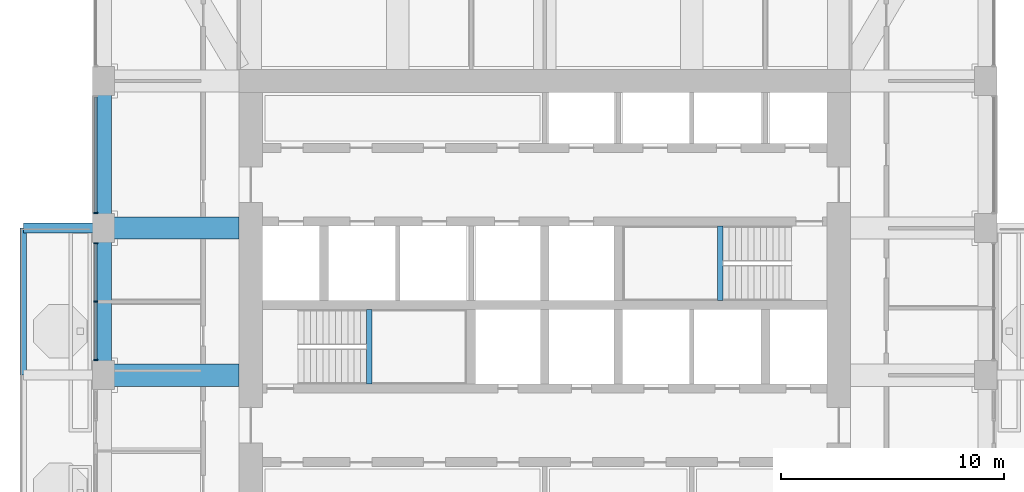
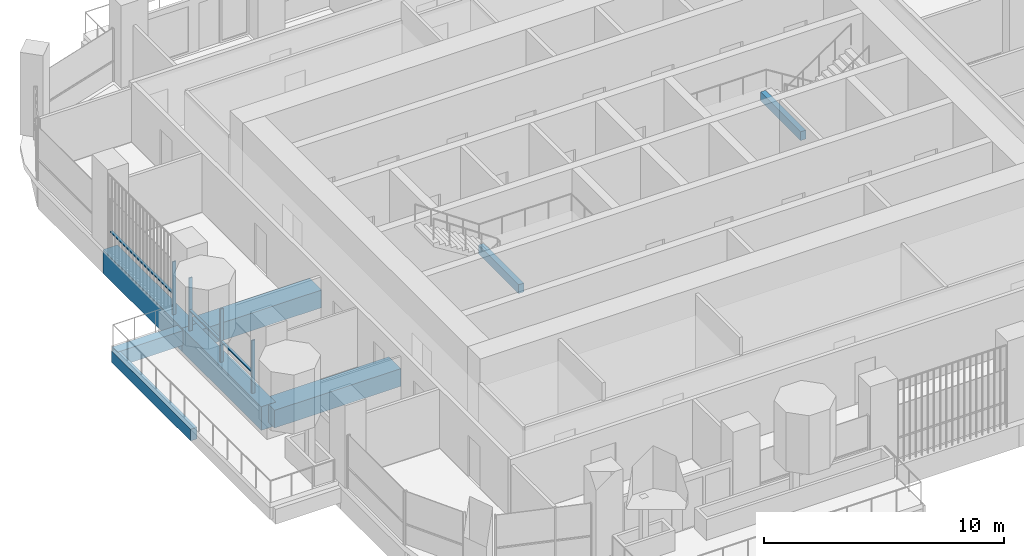
# One storey, part 4 of 20: 8 beams, 7 members, 2 elements without a shape of their own.
"""IFC4 building model written with IfcOpenShell, lengths in metres."""

from ifc_helpers import new_model, si_unit, direction, frame, origin, origin_2d, place, context, subcontext, project, spatial, rectangle, extrude, material, material_profile, profile_set, type_object, element, aggregate, save


model = new_model("IFC4")

# Units and contexts
model_context = context("Model", 3, precision=1e-05, world=origin(), true_north=direction((0.0, 1.0)))
body_context = subcontext(model_context, "Body", "Model", "MODEL_VIEW")
ifc_project = project(units=[si_unit("LENGTHUNIT", "METRE"), si_unit("AREAUNIT", "SQUARE_METRE"), si_unit("VOLUMEUNIT", "CUBIC_METRE"), si_unit("PLANEANGLEUNIT", "RADIAN"), si_unit("MASSUNIT", "GRAM", prefix="KILO")], contexts=[model_context])

# Site, building, storey
site_placement = place(None, origin())
site = spatial("IfcSite", under=ifc_project, at=site_placement, CompositionType="ELEMENT")
building_placement = place(site_placement, origin())
building = spatial("IfcBuilding", under=site, at=building_placement, Name="Cobogo Forest Laboratory Tower", CompositionType="ELEMENT")
storey_placement = place(building_placement, frame((0.0, 0.0, 246.0)))
storey = spatial("IfcBuildingStorey", under=building, at=storey_placement, Name="L56", CompositionType="ELEMENT", Elevation=246.0)

# Beams
ifc_material_1 = material(Name="Concrete HA-40 (C40/50)", Category="concrete")
ifc_material_profile_1 = material_profile(ifc_material_1, rectangle(XDim=0.449951171875, YDim=0.75, at=origin_2d()), Name="RC 450x750")
ifc_profile_set_1 = profile_set([ifc_material_profile_1], Name="Concrete HA-40 (C40/50)")
beam_type_1 = type_object("IfcBeamType", Name="Balcony cantilever beam 450x750", PredefinedType="BEAM", material=ifc_profile_set_1)
beam_1_placement = place(storey_placement, frame((6.14990234375, 26.39990234375, -0.625), z_axis=(-1.0, 0.0, 0.0), x_axis=(0.0, -1.0, 0.0)))
element("IfcBeam", 1, at=beam_1_placement, inside=storey, type_object=beam_type_1, Name="CB1 BAL-W1-C3 L56", PredefinedType="BEAM", context=body_context, shape_type="SweptSolid", body=[
    extrude(rectangle(XDim=0.449951171875, YDim=0.75, at=origin_2d()), origin(), (0.0, 0.0, 1.0), 3.14990234375),
])
ifc_material_profile_2 = material_profile(ifc_material_1, rectangle(XDim=0.300048828125, YDim=0.60009765625, at=origin_2d()), Name="RC 300x600")
ifc_profile_set_2 = profile_set([ifc_material_profile_2], Name="Concrete HA-40 (C40/50)")
beam_type_2 = type_object("IfcBeamType", Name="Balcony edge beam 300x600", PredefinedType="BEAM", material=ifc_profile_set_2)
beam_2_placement = place(storey_placement, frame((3.0, 19.800048828125, -0.550048828125), z_axis=(0.0, 1.0, 0.0), x_axis=(-1.0, 0.0, 0.0)))
element("IfcBeam", 2, at=beam_2_placement, inside=storey, type_object=beam_type_2, Name="BB1 BAL-W1-T2 L56", PredefinedType="BEAM", context=body_context, shape_type="SweptSolid", body=[
    extrude(rectangle(XDim=0.300048828125, YDim=0.60009765625, at=origin_2d()), origin(), (0.0, 0.0, 1.0), 6.599853515625),
])
ifc_material_profile_3 = material_profile(ifc_material_1, rectangle(XDim=0.25, YDim=0.449951171875, at=origin_2d()), Name="RC 250x450")
ifc_profile_set_3 = profile_set([ifc_material_profile_3], Name="Concrete HA-40 (C40/50)")
beam_type_3 = type_object("IfcBeamType", Name="LB1 landing beam 250x450", PredefinedType="BEAM", material=ifc_profile_set_3)
for number, where, z_axis, x_axis, name in (
    (3, (18.530029296875, 19.39990234375, 1.675048828125), (0.0, 1.0, 0.0), (-1.0, 0.0, 0.0), "Landing beam ST1 L56"),
    (4, (34.27001953125, 23.14990234375, 1.675048828125), (0.0, 1.0, 0.0), (-1.0, 0.0, 0.0), "Landing beam ST2 L56"),
):
    element("IfcBeam", number, at=place(storey_placement, frame(where, z_axis=z_axis, x_axis=x_axis)), inside=storey, type_object=beam_type_3, Name=name, PredefinedType="BEAM", context=body_context, shape_type="SweptSolid", body=[
        extrude(rectangle(XDim=0.25, YDim=0.449951171875, at=origin_2d()), origin(), (0.0, 0.0, 1.0), 3.35009765625),
    ])

# Curtain wall, member
ifc_material_2 = material(Name="Aluminium curtain wall", Category="aluminium")
curtain_wall_type = type_object("IfcCurtainWallType", Name="CW-2 unitised curtain wall, solar control glazing, laboratory floors zones C and D", PredefinedType="USERDEFINED", material=ifc_material_2)
curtain_wall_1_placement = place(storey_placement, origin())
curtain_wall_1 = element("IfcCurtainWall", 5, at=curtain_wall_1_placement, inside=storey, type_object=curtain_wall_type, Name="Curtain wall 21 L56", ObjectType="UNITISED CURTAIN WALL", PredefinedType="USERDEFINED")
ifc_material_3 = material(Name="Aluminium mullion", Category="aluminium")
ifc_material_profile_4 = material_profile(ifc_material_3, rectangle(XDim=0.06005859375, YDim=0.159912109375, at=origin_2d()), Name="AL 60x160")
ifc_profile_set_4 = profile_set([ifc_material_profile_4], Name="Aluminium mullion")
member_type_1 = type_object("IfcMemberType", Name="MU-1 aluminium mullion 60x160", PredefinedType="MULLION", material=ifc_profile_set_4)
member_1_placement = place(storey_placement, frame((6.25, 27.080078125, 0.0), z_axis=(0.0, 0.0, 1.0), x_axis=(0.0, -1.0, 0.0)))
member_1 = element("IfcMember", 6, at=member_1_placement, type_object=member_type_1, Name="CW-2 mullion 2", PredefinedType="MULLION", context=body_context, shape_type="SweptSolid", body=[
    extrude(rectangle(XDim=0.06005859375, YDim=0.159912109375, at=origin_2d()), origin(), (0.0, 0.0, 1.0), 2.699951171875),
])

# Curtain wall, members
curtain_wall_2_placement = place(storey_placement, origin())
curtain_wall_2 = element("IfcCurtainWall", 7, at=curtain_wall_2_placement, inside=storey, type_object=curtain_wall_type, Name="Curtain wall 22 L56", ObjectType="UNITISED CURTAIN WALL", PredefinedType="USERDEFINED")
member_2_placement = place(storey_placement, frame((6.25, 25.719970703125, 0.0), z_axis=(0.0, 0.0, 1.0), x_axis=(0.0, -1.0, 0.0)))
member_2 = element("IfcMember", 8, at=member_2_placement, type_object=member_type_1, Name="CW-2 mullion 1", PredefinedType="MULLION", context=body_context, shape_type="SweptSolid", body=[
    extrude(rectangle(XDim=0.06005859375, YDim=0.159912109375, at=origin_2d()), origin(), (0.0, 0.0, 1.0), 2.699951171875),
])
member_3_placement = place(storey_placement, frame((6.25, 23.10009765625, 0.0), z_axis=(0.0, 0.0, 1.0), x_axis=(0.0, -1.0, 0.0)))
member_3 = element("IfcMember", 9, at=member_3_placement, type_object=member_type_1, Name="CW-2 mullion 2", PredefinedType="MULLION", context=body_context, shape_type="SweptSolid", body=[
    extrude(rectangle(XDim=0.06005859375, YDim=0.159912109375, at=origin_2d()), origin(), (0.0, 0.0, 1.0), 2.699951171875),
])
member_4_placement = place(storey_placement, frame((6.25, 20.47998046875, 0.0), z_axis=(0.0, 0.0, 1.0), x_axis=(0.0, -1.0, 0.0)))
member_4 = element("IfcMember", 10, at=member_4_placement, type_object=member_type_1, Name="CW-2 mullion 3", PredefinedType="MULLION", context=body_context, shape_type="SweptSolid", body=[
    extrude(rectangle(XDim=0.06005859375, YDim=0.159912109375, at=origin_2d()), origin(), (0.0, 0.0, 1.0), 2.699951171875),
])

# Beams
ifc_material_profile_5 = material_profile(ifc_material_1, rectangle(XDim=1.0, YDim=0.89990234375, at=origin_2d()), Name="RC 1000x900")
ifc_profile_set_5 = profile_set([ifc_material_profile_5], Name="Concrete HA-40 (C40/50)")
beam_type_4 = type_object("IfcBeamType", Name="Office floor wide beam 1000x900", PredefinedType="BEAM", material=ifc_profile_set_5)
for number, where, z_axis, x_axis, name in (
    (11, (12.675048828125, 19.800048828125, -0.75), (-1.0, 0.0, 0.0), (0.0, -1.0, 0.0), "RB2 R-D-W L56"),
    (12, (12.675048828125, 26.39990234375, -0.75), (-1.0, 0.0, 0.0), (0.0, -1.0, 0.0), "RB2 R-E-W L56"),
):
    element("IfcBeam", number, at=place(storey_placement, frame(where, z_axis=z_axis, x_axis=x_axis)), inside=storey, type_object=beam_type_4, Name=name, PredefinedType="BEAM", context=body_context, shape_type="SweptSolid", body=[
        extrude(rectangle(XDim=1.0, YDim=0.89990234375, at=origin_2d()), origin(), (0.0, 0.0, 1.0), 6.074951171875),
    ])
ifc_material_profile_6 = material_profile(ifc_material_1, rectangle(XDim=0.699951171875, YDim=1.199951171875, at=origin_2d()), Name="RC 700x1200")
ifc_profile_set_6 = profile_set([ifc_material_profile_6], Name="Concrete HA-40 (C40/50)")
beam_type_5 = type_object("IfcBeamType", Name="Perimeter edge beam 700x1200", PredefinedType="BEAM", material=ifc_profile_set_6)
beam_3_placement = place(storey_placement, frame((6.60009765625, 19.800048828125, -0.89990234375), z_axis=(0.0, 1.0, 0.0), x_axis=(-1.0, 0.0, 0.0)))
element("IfcBeam", 13, at=beam_3_placement, inside=storey, type_object=beam_type_5, Name="EB1 E-W2 L56", PredefinedType="BEAM", context=body_context, shape_type="SweptSolid", body=[
    extrude(rectangle(XDim=0.699951171875, YDim=1.199951171875, at=origin_2d()), origin(), (0.0, 0.0, 1.0), 6.599853515625),
])
beam_4_placement = place(storey_placement, frame((6.60009765625, 26.39990234375, -0.89990234375), z_axis=(0.0, 1.0, 0.0), x_axis=(-1.0, 0.0, 0.0)))
element("IfcBeam", 14, at=beam_4_placement, inside=storey, type_object=beam_type_5, Name="EB1 E-W3 L56", PredefinedType="BEAM", context=body_context, shape_type="SweptSolid", body=[
    extrude(rectangle(XDim=0.699951171875, YDim=1.199951171875, at=origin_2d()), origin(), (0.0, 0.0, 1.0), 6.60009765625),
])

# Member
ifc_material_4 = material(Name="Aluminium transom", Category="aluminium")
ifc_material_profile_7 = material_profile(ifc_material_4, rectangle(XDim=0.1201171875, YDim=0.06005859375, at=origin_2d()), Name="AL 60x120")
ifc_profile_set_7 = profile_set([ifc_material_profile_7], Name="Aluminium transom")
member_type_2 = type_object("IfcMemberType", Name="TR-1 aluminium transom 60x120", PredefinedType="USERDEFINED", material=ifc_profile_set_7)
member_5_placement = place(storey_placement, frame((6.25, 32.2900390625, 1.050048828125), z_axis=(0.0, -1.0, 0.0), x_axis=(1.0, 0.0, 0.0)))
member_5 = element("IfcMember", 15, at=member_5_placement, type_object=member_type_2, Name="CW-2 transom 1.1", ObjectType="TRANSOM", PredefinedType="USERDEFINED", context=body_context, shape_type="SweptSolid", body=[
    extrude(rectangle(XDim=0.1201171875, YDim=0.06005859375, at=origin_2d()), origin(), (0.0, 0.0, 1.0), 5.179931640625),
])

aggregate(curtain_wall_1, [member_1, member_5])

member_6_placement = place(storey_placement, frame((6.25, 25.68994140625, 1.050048828125), z_axis=(0.0, -1.0, 0.0), x_axis=(1.0, 0.0, 0.0)))
member_6 = element("IfcMember", 16, at=member_6_placement, type_object=member_type_2, Name="CW-2 transom 1.1", ObjectType="TRANSOM", PredefinedType="USERDEFINED", context=body_context, shape_type="SweptSolid", body=[
    extrude(rectangle(XDim=0.1201171875, YDim=0.06005859375, at=origin_2d()), origin(), (0.0, 0.0, 1.0), 2.56005859375),
])

member_7_placement = place(storey_placement, frame((6.25, 23.070068359375, 1.050048828125), z_axis=(0.0, -1.0, 0.0), x_axis=(1.0, 0.0, 0.0)))
member_7 = element("IfcMember", 17, at=member_7_placement, type_object=member_type_2, Name="CW-2 transom 2.1", ObjectType="TRANSOM", PredefinedType="USERDEFINED", context=body_context, shape_type="SweptSolid", body=[
    extrude(rectangle(XDim=0.1201171875, YDim=0.06005859375, at=origin_2d()), origin(), (0.0, 0.0, 1.0), 2.56005859375),
])

aggregate(curtain_wall_2, [member_2, member_3, member_4, member_6, member_7])

save(model, "model.ifc")
